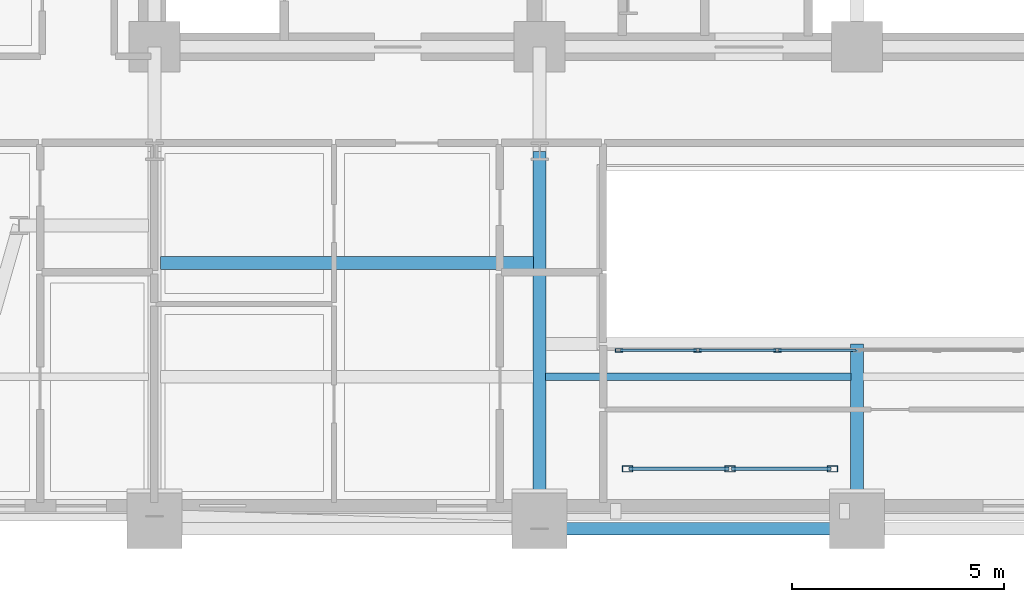
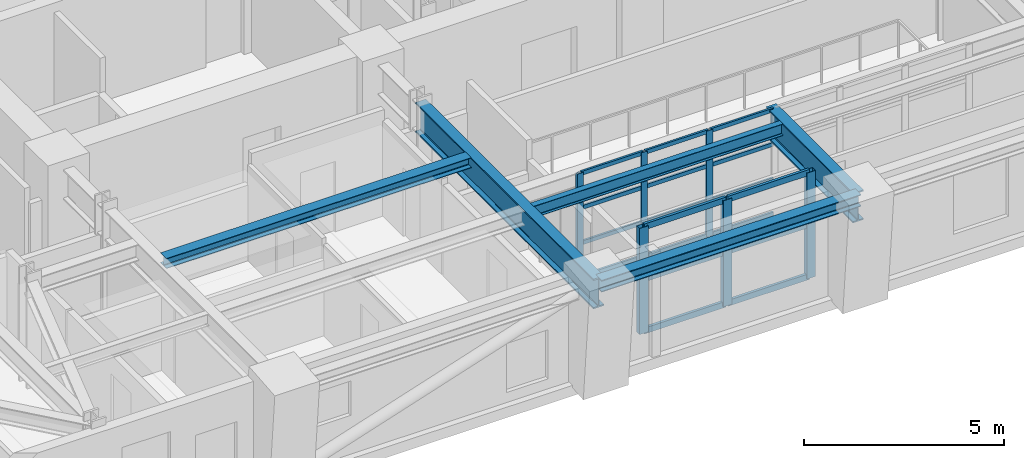
# One storey, part 2 of 16: 24 members, 5 beams, 2 elements without a shape of their own.
"""IFC4 building model written with IfcOpenShell, lengths in metres."""

from ifc_helpers import new_model, si_unit, direction, frame, origin, origin_2d, place, context, subcontext, project, spatial, hollow_rectangle, i_section, extrude, material, layer, layer_set, material_profile, profile_set, type_object, element, aggregate, save


model = new_model("IFC4")

# Units and contexts
model_context = context("Model", 3, precision=1e-05, world=origin(), true_north=direction((0.0, 1.0)))
body_context = subcontext(model_context, "Body", "Model", "MODEL_VIEW")
ifc_project = project(units=[si_unit("LENGTHUNIT", "METRE"), si_unit("AREAUNIT", "SQUARE_METRE"), si_unit("VOLUMEUNIT", "CUBIC_METRE"), si_unit("PLANEANGLEUNIT", "RADIAN"), si_unit("MASSUNIT", "GRAM", prefix="KILO")], contexts=[model_context])

# Site, building, storey
site_placement = place(None, origin())
site = spatial("IfcSite", under=ifc_project, at=site_placement, CompositionType="ELEMENT")
building_placement = place(site_placement, origin())
building = spatial("IfcBuilding", under=site, at=building_placement, Name="Zarnavel Station Tower", CompositionType="ELEMENT")
storey_placement = place(building_placement, frame((0.0, 0.0, 104.800048828125)))
storey = spatial("IfcBuildingStorey", under=building, at=storey_placement, Name="L28", CompositionType="ELEMENT", Elevation=104.800048828125)

# Curtain wall, members
ifc_material_1 = material(Name="Aluminium Dark Anodised and Solar-Control Glass", Category="aluminium")
ifc_layer_1 = layer(ifc_material_1, 0.179931640625)
ifc_layer_set_1 = layer_set([ifc_layer_1], Name="CWS3")
curtain_wall_type_1 = type_object("IfcCurtainWallType", Name="CWS3", PredefinedType="NOTDEFINED", material=ifc_layer_set_1)
curtain_wall_1_placement = place(storey_placement, origin())
curtain_wall_1 = element("IfcCurtainWall", 1, at=curtain_wall_1_placement, inside=storey, type_object=curtain_wall_type_1, Name="L28 Curtain Wall CWS3-L28-AS", PredefinedType="NOTDEFINED")
ifc_material_2 = material(Name="Steel S355J2 (Black Fluoropolymer Coated)", Category="steel")
ifc_material_profile_1 = material_profile(ifc_material_2, hollow_rectangle(XDim=0.080078125, YDim=0.179931640625, WallThickness=0.00634765625, at=origin_2d()), Name="RHS180x80x6.3")
ifc_profile_set_1 = profile_set([ifc_material_profile_1], Name="Steel S355J2 (Black Fluoropolymer Coated)")
member_type_1 = type_object("IfcMemberType", Name="CWS3_MUL", PredefinedType="MULLION", material=ifc_profile_set_1)
member_1_placement = place(storey_placement, frame((23.179931640625, 20.64990234375, 0.0), z_axis=(0.0, 0.0, 1.0), x_axis=(0.0, 1.0, 0.0)))
member_1 = element("IfcMember", 2, at=member_1_placement, type_object=member_type_1, Name="CW3 mullion 1", PredefinedType="MULLION", context=body_context, shape_type="SweptSolid", body=[
    extrude(hollow_rectangle(XDim=0.080078125, YDim=0.179931640625, WallThickness=0.00634765625, at=origin_2d()), origin(), (0.0, 0.0, 1.0), 3.239990234375),
])
member_2_placement = place(storey_placement, frame((25.033447265625, 20.64990234375, 0.0), z_axis=(0.0, 0.0, 1.0), x_axis=(0.0, 1.0, 0.0)))
member_2 = element("IfcMember", 3, at=member_2_placement, type_object=member_type_1, Name="CW3 mullion 2", PredefinedType="MULLION", context=body_context, shape_type="SweptSolid", body=[
    extrude(hollow_rectangle(XDim=0.080078125, YDim=0.179931640625, WallThickness=0.00634765625, at=origin_2d()), origin(), (0.0, 0.0, 1.0), 3.239990234375),
])
member_3_placement = place(storey_placement, frame((26.916748046875, 20.64990234375, 0.0), z_axis=(0.0, 0.0, 1.0), x_axis=(0.0, 1.0, 0.0)))
member_3 = element("IfcMember", 4, at=member_3_placement, type_object=member_type_1, Name="CW3 mullion 3", PredefinedType="MULLION", context=body_context, shape_type="SweptSolid", body=[
    extrude(hollow_rectangle(XDim=0.080078125, YDim=0.179931640625, WallThickness=0.00634765625, at=origin_2d()), origin(), (0.0, 0.0, 1.0), 3.239990234375),
])
ifc_material_3 = material(Name="Steel S355J2 (Black Fluoropolymer Coated)", Category="steel")
ifc_material_profile_2 = material_profile(ifc_material_3, hollow_rectangle(XDim=0.06005859375, YDim=0.1201171875, WallThickness=0.0048828125, at=origin_2d()), Name="RHS120x60x5")
ifc_profile_set_2 = profile_set([ifc_material_profile_2], Name="Steel S355J2 (Black Fluoropolymer Coated)")
member_type_2 = type_object("IfcMemberType", Name="CWS3_TRN", PredefinedType="USERDEFINED", material=ifc_profile_set_2)
member_4_placement = place(storey_placement, frame((23.2099609375, 20.64990234375, 0.030029296875), z_axis=(1.0, 0.0, 0.0), x_axis=(0.0, 1.0, 0.0)))
member_4 = element("IfcMember", 5, at=member_4_placement, type_object=member_type_2, Name="CW3 transom 1.1", ObjectType="TRANSOM", PredefinedType="USERDEFINED", context=body_context, shape_type="SweptSolid", body=[
    extrude(hollow_rectangle(XDim=0.06005859375, YDim=0.1201171875, WallThickness=0.0048828125, at=origin_2d()), origin(), (0.0, 0.0, 1.0), 1.79345703125),
])
member_5_placement = place(storey_placement, frame((23.2099609375, 20.64990234375, 1.079833984375), z_axis=(1.0, 0.0, 0.0), x_axis=(0.0, 1.0, 0.0)))
member_5 = element("IfcMember", 6, at=member_5_placement, type_object=member_type_2, Name="CW3 transom 1.2", ObjectType="TRANSOM", PredefinedType="USERDEFINED", context=body_context, shape_type="SweptSolid", body=[
    extrude(hollow_rectangle(XDim=0.06005859375, YDim=0.1201171875, WallThickness=0.0048828125, at=origin_2d()), origin(), (0.0, 0.0, 1.0), 1.79345703125),
])
member_6_placement = place(storey_placement, frame((23.2099609375, 20.64990234375, 2.159912109375), z_axis=(1.0, 0.0, 0.0), x_axis=(0.0, 1.0, 0.0)))
member_6 = element("IfcMember", 7, at=member_6_placement, type_object=member_type_2, Name="CW3 transom 1.3", ObjectType="TRANSOM", PredefinedType="USERDEFINED", context=body_context, shape_type="SweptSolid", body=[
    extrude(hollow_rectangle(XDim=0.06005859375, YDim=0.1201171875, WallThickness=0.0048828125, at=origin_2d()), origin(), (0.0, 0.0, 1.0), 1.79345703125),
])
member_7_placement = place(storey_placement, frame((23.2099609375, 20.64990234375, 3.2099609375), z_axis=(1.0, 0.0, 0.0), x_axis=(0.0, 1.0, 0.0)))
member_7 = element("IfcMember", 8, at=member_7_placement, type_object=member_type_2, Name="CW3 transom 1.4", ObjectType="TRANSOM", PredefinedType="USERDEFINED", context=body_context, shape_type="SweptSolid", body=[
    extrude(hollow_rectangle(XDim=0.06005859375, YDim=0.1201171875, WallThickness=0.0048828125, at=origin_2d()), origin(), (0.0, 0.0, 1.0), 1.79345703125),
])
member_8_placement = place(storey_placement, frame((25.063232421875, 20.64990234375, 0.030029296875), z_axis=(1.0, 0.0, 0.0), x_axis=(0.0, 1.0, 0.0)))
member_8 = element("IfcMember", 9, at=member_8_placement, type_object=member_type_2, Name="CW3 transom 2.1", ObjectType="TRANSOM", PredefinedType="USERDEFINED", context=body_context, shape_type="SweptSolid", body=[
    extrude(hollow_rectangle(XDim=0.06005859375, YDim=0.1201171875, WallThickness=0.0048828125, at=origin_2d()), origin(), (0.0, 0.0, 1.0), 1.823486328125),
])
member_9_placement = place(storey_placement, frame((25.063232421875, 20.64990234375, 1.079833984375), z_axis=(1.0, 0.0, 0.0), x_axis=(0.0, 1.0, 0.0)))
member_9 = element("IfcMember", 10, at=member_9_placement, type_object=member_type_2, Name="CW3 transom 2.2", ObjectType="TRANSOM", PredefinedType="USERDEFINED", context=body_context, shape_type="SweptSolid", body=[
    extrude(hollow_rectangle(XDim=0.06005859375, YDim=0.1201171875, WallThickness=0.0048828125, at=origin_2d()), origin(), (0.0, 0.0, 1.0), 1.823486328125),
])
member_10_placement = place(storey_placement, frame((25.063232421875, 20.64990234375, 2.159912109375), z_axis=(1.0, 0.0, 0.0), x_axis=(0.0, 1.0, 0.0)))
member_10 = element("IfcMember", 11, at=member_10_placement, type_object=member_type_2, Name="CW3 transom 2.3", ObjectType="TRANSOM", PredefinedType="USERDEFINED", context=body_context, shape_type="SweptSolid", body=[
    extrude(hollow_rectangle(XDim=0.06005859375, YDim=0.1201171875, WallThickness=0.0048828125, at=origin_2d()), origin(), (0.0, 0.0, 1.0), 1.823486328125),
])
member_11_placement = place(storey_placement, frame((25.063232421875, 20.64990234375, 3.2099609375), z_axis=(1.0, 0.0, 0.0), x_axis=(0.0, 1.0, 0.0)))
member_11 = element("IfcMember", 12, at=member_11_placement, type_object=member_type_2, Name="CW3 transom 2.4", ObjectType="TRANSOM", PredefinedType="USERDEFINED", context=body_context, shape_type="SweptSolid", body=[
    extrude(hollow_rectangle(XDim=0.06005859375, YDim=0.1201171875, WallThickness=0.0048828125, at=origin_2d()), origin(), (0.0, 0.0, 1.0), 1.823486328125),
])
member_12_placement = place(storey_placement, frame((26.94677734375, 20.64990234375, 0.030029296875), z_axis=(1.0, 0.0, 0.0), x_axis=(0.0, 1.0, 0.0)))
member_12 = element("IfcMember", 13, at=member_12_placement, type_object=member_type_2, Name="CW3 transom 3.1", ObjectType="TRANSOM", PredefinedType="USERDEFINED", context=body_context, shape_type="SweptSolid", body=[
    extrude(hollow_rectangle(XDim=0.06005859375, YDim=0.1201171875, WallThickness=0.0048828125, at=origin_2d()), origin(), (0.0, 0.0, 1.0), 1.8232421875),
])
member_13_placement = place(storey_placement, frame((26.94677734375, 20.64990234375, 1.079833984375), z_axis=(1.0, 0.0, 0.0), x_axis=(0.0, 1.0, 0.0)))
member_13 = element("IfcMember", 14, at=member_13_placement, type_object=member_type_2, Name="CW3 transom 3.2", ObjectType="TRANSOM", PredefinedType="USERDEFINED", context=body_context, shape_type="SweptSolid", body=[
    extrude(hollow_rectangle(XDim=0.06005859375, YDim=0.1201171875, WallThickness=0.0048828125, at=origin_2d()), origin(), (0.0, 0.0, 1.0), 1.8232421875),
])
member_14_placement = place(storey_placement, frame((26.94677734375, 20.64990234375, 2.159912109375), z_axis=(1.0, 0.0, 0.0), x_axis=(0.0, 1.0, 0.0)))
member_14 = element("IfcMember", 15, at=member_14_placement, type_object=member_type_2, Name="CW3 transom 3.3", ObjectType="TRANSOM", PredefinedType="USERDEFINED", context=body_context, shape_type="SweptSolid", body=[
    extrude(hollow_rectangle(XDim=0.06005859375, YDim=0.1201171875, WallThickness=0.0048828125, at=origin_2d()), origin(), (0.0, 0.0, 1.0), 1.8232421875),
])
member_15_placement = place(storey_placement, frame((26.94677734375, 20.64990234375, 3.2099609375), z_axis=(1.0, 0.0, 0.0), x_axis=(0.0, 1.0, 0.0)))
member_15 = element("IfcMember", 16, at=member_15_placement, type_object=member_type_2, Name="CW3 transom 3.4", ObjectType="TRANSOM", PredefinedType="USERDEFINED", context=body_context, shape_type="SweptSolid", body=[
    extrude(hollow_rectangle(XDim=0.06005859375, YDim=0.1201171875, WallThickness=0.0048828125, at=origin_2d()), origin(), (0.0, 0.0, 1.0), 1.8232421875),
])
aggregate(curtain_wall_1, [member_1, member_2, member_3, member_4, member_5, member_6, member_7, member_8, member_9, member_10, member_11, member_12, member_13, member_14, member_15])

ifc_material_4 = material(Name="Aluminium Dark Anodised and Solar-Control Glass", Category="aluminium")
ifc_layer_2 = layer(ifc_material_4, 0.179931640625)
ifc_layer_set_2 = layer_set([ifc_layer_2], Name="CWS6")
curtain_wall_type_2 = type_object("IfcCurtainWallType", Name="CWS6", PredefinedType="NOTDEFINED", material=ifc_layer_set_2)
curtain_wall_2_placement = place(storey_placement, origin())
curtain_wall_2 = element("IfcCurtainWall", 17, at=curtain_wall_2_placement, inside=storey, type_object=curtain_wall_type_2, Name="L28 Curtain Wall CWS6-LOG-L28", PredefinedType="NOTDEFINED")
ifc_material_5 = material(Name="Steel S355J2 (Black Fluoropolymer Coated)", Category="steel")
ifc_material_profile_3 = material_profile(ifc_material_5, hollow_rectangle(XDim=0.14990234375, YDim=0.25, WallThickness=0.010009765625, at=origin_2d()), Name="RHS250x150x10")
ifc_profile_set_3 = profile_set([ifc_material_profile_3], Name="Steel S355J2 (Black Fluoropolymer Coated)")
member_type_3 = type_object("IfcMemberType", Name="CWS6_MUL", PredefinedType="MULLION", material=ifc_profile_set_3)
member_16_placement = place(storey_placement, frame((23.3798828125, 17.85009765625, 0.0), z_axis=(0.0, 0.0, 1.0), x_axis=(0.0, 1.0, 0.0)))
member_16 = element("IfcMember", 18, at=member_16_placement, type_object=member_type_3, Name="CW6 mullion 1", PredefinedType="MULLION", context=body_context, shape_type="SweptSolid", body=[
    extrude(hollow_rectangle(XDim=0.14990234375, YDim=0.25, WallThickness=0.010009765625, at=origin_2d()), origin(), (0.0, 0.0, 1.0), 3.239990234375),
])
member_17_placement = place(storey_placement, frame((25.800048828125, 17.85009765625, 0.0), z_axis=(0.0, 0.0, 1.0), x_axis=(0.0, 1.0, 0.0)))
member_17 = element("IfcMember", 19, at=member_17_placement, type_object=member_type_3, Name="CW6 mullion 2", PredefinedType="MULLION", context=body_context, shape_type="SweptSolid", body=[
    extrude(hollow_rectangle(XDim=0.14990234375, YDim=0.25, WallThickness=0.010009765625, at=origin_2d()), origin(), (0.0, 0.0, 1.0), 3.239990234375),
])
member_18_placement = place(storey_placement, frame((28.219970703125, 17.85009765625, 0.0), z_axis=(0.0, 0.0, 1.0), x_axis=(0.0, 1.0, 0.0)))
member_18 = element("IfcMember", 20, at=member_18_placement, type_object=member_type_3, Name="CW6 mullion 3", PredefinedType="MULLION", context=body_context, shape_type="SweptSolid", body=[
    extrude(hollow_rectangle(XDim=0.14990234375, YDim=0.25, WallThickness=0.010009765625, at=origin_2d()), origin(), (0.0, 0.0, 1.0), 3.239990234375),
])
ifc_material_6 = material(Name="Steel S355J2 (Black Fluoropolymer Coated)", Category="steel")
ifc_material_profile_4 = material_profile(ifc_material_6, hollow_rectangle(XDim=0.080078125, YDim=0.179931640625, WallThickness=0.00634765625, at=origin_2d()), Name="RHS180x80x6.3")
ifc_profile_set_4 = profile_set([ifc_material_profile_4], Name="Steel S355J2 (Black Fluoropolymer Coated)")
member_type_4 = type_object("IfcMemberType", Name="CWS6_TRN", PredefinedType="USERDEFINED", material=ifc_profile_set_4)
member_19_placement = place(storey_placement, frame((23.409912109375, 17.85009765625, 0.030029296875), z_axis=(1.0, 0.0, 0.0), x_axis=(0.0, 1.0, 0.0)))
member_19 = element("IfcMember", 21, at=member_19_placement, type_object=member_type_4, Name="CW6 transom 1.1", ObjectType="TRANSOM", PredefinedType="USERDEFINED", context=body_context, shape_type="SweptSolid", body=[
    extrude(hollow_rectangle(XDim=0.080078125, YDim=0.179931640625, WallThickness=0.00634765625, at=origin_2d()), origin(), (0.0, 0.0, 1.0), 2.360107421875),
])
member_20_placement = place(storey_placement, frame((23.409912109375, 17.85009765625, 1.619873046875), z_axis=(1.0, 0.0, 0.0), x_axis=(0.0, 1.0, 0.0)))
member_20 = element("IfcMember", 22, at=member_20_placement, type_object=member_type_4, Name="CW6 transom 1.2", ObjectType="TRANSOM", PredefinedType="USERDEFINED", context=body_context, shape_type="SweptSolid", body=[
    extrude(hollow_rectangle(XDim=0.080078125, YDim=0.179931640625, WallThickness=0.00634765625, at=origin_2d()), origin(), (0.0, 0.0, 1.0), 2.360107421875),
])
member_21_placement = place(storey_placement, frame((23.409912109375, 17.85009765625, 3.2099609375), z_axis=(1.0, 0.0, 0.0), x_axis=(0.0, 1.0, 0.0)))
member_21 = element("IfcMember", 23, at=member_21_placement, type_object=member_type_4, Name="CW6 transom 1.3", ObjectType="TRANSOM", PredefinedType="USERDEFINED", context=body_context, shape_type="SweptSolid", body=[
    extrude(hollow_rectangle(XDim=0.080078125, YDim=0.179931640625, WallThickness=0.00634765625, at=origin_2d()), origin(), (0.0, 0.0, 1.0), 2.360107421875),
])
member_22_placement = place(storey_placement, frame((25.830078125, 17.85009765625, 0.030029296875), z_axis=(1.0, 0.0, 0.0), x_axis=(0.0, 1.0, 0.0)))
member_22 = element("IfcMember", 24, at=member_22_placement, type_object=member_type_4, Name="CW6 transom 2.1", ObjectType="TRANSOM", PredefinedType="USERDEFINED", context=body_context, shape_type="SweptSolid", body=[
    extrude(hollow_rectangle(XDim=0.080078125, YDim=0.179931640625, WallThickness=0.00634765625, at=origin_2d()), origin(), (0.0, 0.0, 1.0), 2.35986328125),
])
member_23_placement = place(storey_placement, frame((25.830078125, 17.85009765625, 1.619873046875), z_axis=(1.0, 0.0, 0.0), x_axis=(0.0, 1.0, 0.0)))
member_23 = element("IfcMember", 25, at=member_23_placement, type_object=member_type_4, Name="CW6 transom 2.2", ObjectType="TRANSOM", PredefinedType="USERDEFINED", context=body_context, shape_type="SweptSolid", body=[
    extrude(hollow_rectangle(XDim=0.080078125, YDim=0.179931640625, WallThickness=0.00634765625, at=origin_2d()), origin(), (0.0, 0.0, 1.0), 2.35986328125),
])
member_24_placement = place(storey_placement, frame((25.830078125, 17.85009765625, 3.2099609375), z_axis=(1.0, 0.0, 0.0), x_axis=(0.0, 1.0, 0.0)))
member_24 = element("IfcMember", 26, at=member_24_placement, type_object=member_type_4, Name="CW6 transom 2.3", ObjectType="TRANSOM", PredefinedType="USERDEFINED", context=body_context, shape_type="SweptSolid", body=[
    extrude(hollow_rectangle(XDim=0.080078125, YDim=0.179931640625, WallThickness=0.00634765625, at=origin_2d()), origin(), (0.0, 0.0, 1.0), 2.35986328125),
])
aggregate(curtain_wall_2, [member_16, member_17, member_18, member_19, member_20, member_21, member_22, member_23, member_24])

# Beams
ifc_material_7 = material(Name="Steel S355J2", Category="steel")
ifc_material_profile_5 = material_profile(ifc_material_7, i_section(OverallWidth=0.300048828125, OverallDepth=0.360107421875, WebThickness=0.012451171875, FlangeThickness=0.0224609375, FilletRadius=0.027099609375, at=origin_2d()), Name="HEB360")
ifc_profile_set_5 = profile_set([ifc_material_profile_5], Name="Steel S355J2")
beam_type_1 = type_object("IfcBeamType", Name="EB_HEB360", PredefinedType="SPANDREL", material=ifc_profile_set_5)
beam_1_placement = place(storey_placement, frame((21.300048828125, 16.4375, 3.06005859375), z_axis=(1.0, 0.0, 0.0), x_axis=(0.0, 1.0, 0.0)))
element("IfcBeam", 27, at=beam_1_placement, inside=storey, type_object=beam_type_1, Name="L28 South Raked Spandrel 2", PredefinedType="SPANDREL", context=body_context, shape_type="SweptSolid", body=[
    extrude(i_section(OverallWidth=0.300048828125, OverallDepth=0.360107421875, WebThickness=0.012451171875, FlangeThickness=0.0224609375, FilletRadius=0.027099609375, at=origin_2d()), origin(), (0.0, 0.0, 1.0), 7.5),
])
ifc_material_8 = material(Name="Steel S355J2", Category="steel")
ifc_material_profile_6 = material_profile(ifc_material_8, i_section(OverallWidth=0.300048828125, OverallDepth=0.31005859375, WebThickness=0.009033203125, FlangeThickness=0.015380859375, FilletRadius=0.027099609375, at=origin_2d()), Name="HEA320")
ifc_profile_set_6 = profile_set([ifc_material_profile_6], Name="Steel S355J2")
beam_type_2 = type_object("IfcBeamType", Name="FB_HEA320", PredefinedType="BEAM", material=ifc_profile_set_6)
beam_2_placement = place(storey_placement, frame((12.344970703125, 22.71240234375, 3.0849609375), z_axis=(1.0, 0.0, 0.0), x_axis=(0.0, 1.0, 0.0)))
element("IfcBeam", 28, at=beam_2_placement, inside=storey, type_object=beam_type_2, Name="L28 West Bay Beam 2", PredefinedType="BEAM", context=body_context, shape_type="SweptSolid", body=[
    extrude(i_section(OverallWidth=0.300048828125, OverallDepth=0.31005859375, WebThickness=0.009033203125, FlangeThickness=0.015380859375, FilletRadius=0.027099609375, at=origin_2d()), origin(), (0.0, 0.0, 1.0), 8.81005859375),
])
ifc_material_9 = material(Name="Steel S355J2", Category="steel")
ifc_material_profile_7 = material_profile(ifc_material_9, i_section(OverallWidth=0.169921875, OverallDepth=0.360107421875, WebThickness=0.008056640625, FlangeThickness=0.0126953125, FilletRadius=0.01806640625, at=origin_2d()), Name="IPE360")
ifc_profile_set_7 = profile_set([ifc_material_profile_7], Name="Steel S355J2")
beam_type_3 = type_object("IfcBeamType", Name="FJ_IPE360", PredefinedType="JOIST", material=ifc_profile_set_7)
beam_3_placement = place(storey_placement, frame((21.445068359375, 20.02490234375, 3.06005859375), z_axis=(1.0, 0.0, 0.0), x_axis=(0.0, 1.0, 0.0)))
element("IfcBeam", 29, at=beam_3_placement, inside=storey, type_object=beam_type_3, Name="L28 Mid-West Joist 1", PredefinedType="JOIST", context=body_context, shape_type="SweptSolid", body=[
    extrude(i_section(OverallWidth=0.169921875, OverallDepth=0.360107421875, WebThickness=0.008056640625, FlangeThickness=0.0126953125, FilletRadius=0.01806640625, at=origin_2d()), origin(), (0.0, 0.0, 1.0), 7.2099609375),
])
ifc_material_10 = material(Name="Steel S460M", Category="steel")
ifc_material_profile_8 = material_profile(ifc_material_10, i_section(OverallWidth=0.302001953125, OverallDepth=0.909912109375, WebThickness=0.02099609375, FlangeThickness=0.0400390625, FilletRadius=0.030029296875, at=origin_2d()), Name="HEM900")
ifc_profile_set_8 = profile_set([ifc_material_profile_8], Name="Steel S460M")
beam_type_4 = type_object("IfcBeamType", Name="TG_HEM900", PredefinedType="USERDEFINED", material=ifc_profile_set_8)
beam_4_placement = place(storey_placement, frame((21.300048828125, 16.4375, 2.784912109375), z_axis=(0.0, 1.0, 0.0), x_axis=(-1.0, 0.0, 0.0)))
element("IfcBeam", 30, at=beam_4_placement, inside=storey, type_object=beam_type_4, Name="L28 South-Zone NS Girder 2", ObjectType="GIRDER", PredefinedType="USERDEFINED", context=body_context, shape_type="SweptSolid", body=[
    extrude(i_section(OverallWidth=0.302001953125, OverallDepth=0.909912109375, WebThickness=0.02099609375, FlangeThickness=0.0400390625, FilletRadius=0.030029296875, at=origin_2d()), origin(), (0.0, 0.0, 1.0), 8.91259765625),
])
beam_5_placement = place(storey_placement, frame((28.800048828125, 16.4375, 2.784912109375), z_axis=(0.0, 1.0, 0.0), x_axis=(-1.0, 0.0, 0.0)))
element("IfcBeam", 31, at=beam_5_placement, inside=storey, type_object=beam_type_4, Name="L28 Central Atrium-South Girder", ObjectType="GIRDER", PredefinedType="USERDEFINED", context=body_context, shape_type="SweptSolid", body=[
    extrude(i_section(OverallWidth=0.302001953125, OverallDepth=0.909912109375, WebThickness=0.02099609375, FlangeThickness=0.0400390625, FilletRadius=0.030029296875, at=origin_2d()), origin(), (0.0, 0.0, 1.0), 4.362548828125),
])

save(model, "model.ifc")
